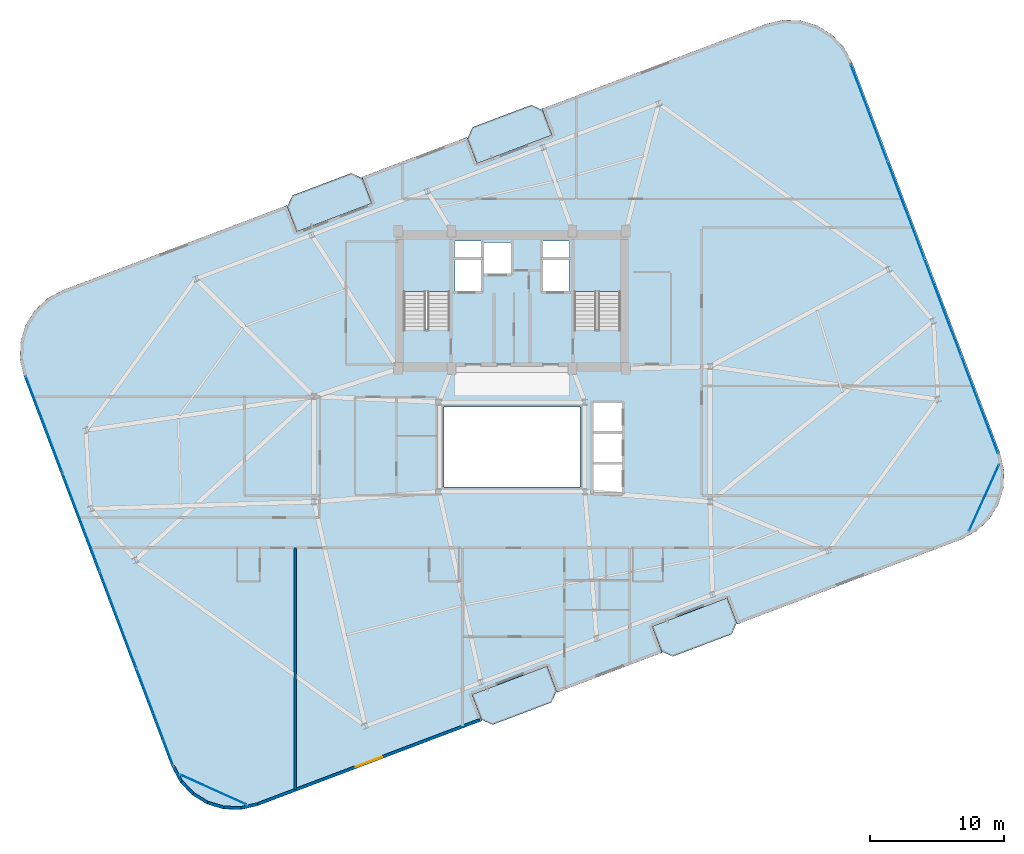
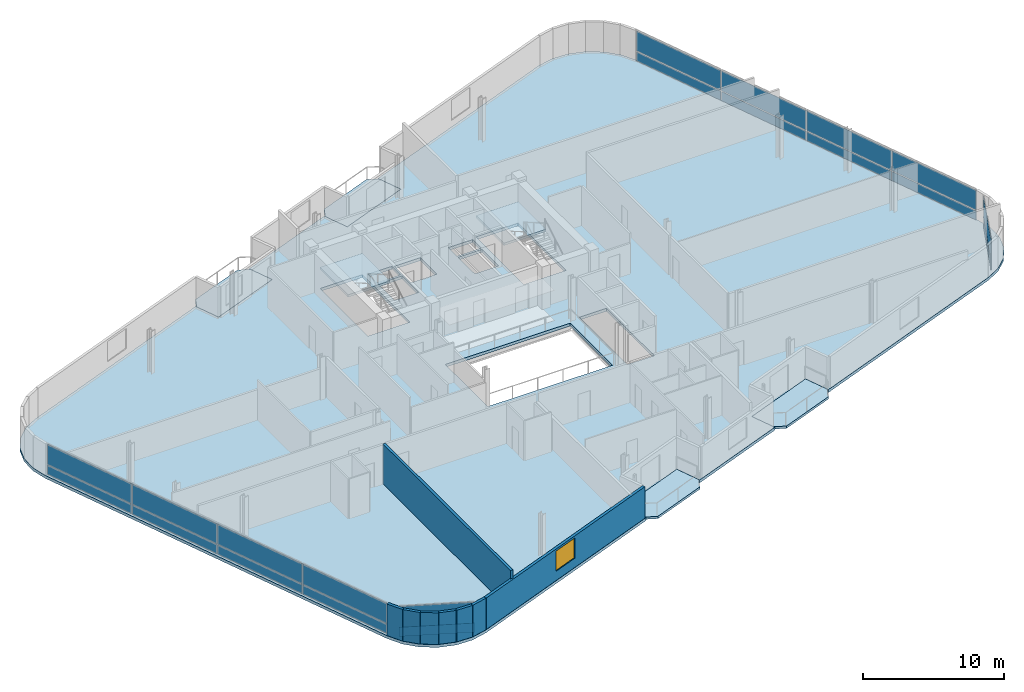
# One storey, part 17 of 23: 20 plates, 8 walls, 7 slabs, 1 window, 1 opening, 6 elements without a shape of their own.
"""IFC4 building model written with IfcOpenShell, lengths in metres."""

from ifc_helpers import new_model, si_unit, direction, frame, frame_2d, origin, origin_2d, place, context, subcontext, project, spatial, polyline, rectangle, outline, extrude, source, transform, mapped, material, layer, layer_set, type_object, element, fill, aggregate, save


model = new_model("IFC4")

# Units and contexts
model_context = context("Model", 3, precision=1e-05, world=origin(), true_north=direction((0.0, 1.0)))
body_context = subcontext(model_context, "Body", "Model", "MODEL_VIEW")
ifc_project = project(units=[si_unit("LENGTHUNIT", "METRE"), si_unit("AREAUNIT", "SQUARE_METRE"), si_unit("VOLUMEUNIT", "CUBIC_METRE"), si_unit("PLANEANGLEUNIT", "RADIAN"), si_unit("MASSUNIT", "GRAM", prefix="KILO")], contexts=[model_context])

# Site, building, storey
site_placement = place(None, origin())
site = spatial("IfcSite", under=ifc_project, at=site_placement, CompositionType="ELEMENT")
building_placement = place(site_placement, origin())
building = spatial("IfcBuilding", under=site, at=building_placement, Name="Varnelok Gate Tower", CompositionType="ELEMENT")
storey_placement = place(building_placement, frame((0.0, 0.0, 227.5)))
storey = spatial("IfcBuildingStorey", under=building, at=storey_placement, Name="L58", CompositionType="ELEMENT", Elevation=227.5)

# Slabs
ifc_material_1 = material(Name="Concrete C45/55", Category="concrete")
ifc_layer_1 = layer(ifc_material_1, 0.199951171875)
ifc_layer_set_1 = layer_set([ifc_layer_1], Name="Concrete C45/55")
slab_type_1 = type_object("IfcSlabType", Name="SLB-BALC-200", PredefinedType="FLOOR", material=ifc_layer_set_1)
slab_1_placement = place(storey_placement, frame((0.0, 0.0, -0.199951171875)))
element("IfcSlab", 1, at=slab_1_placement, inside=storey, type_object=slab_type_1, Name="L58 South Hollow Balcony 1", PredefinedType="FLOOR", context=body_context, shape_type="SweptSolid", body=[
    extrude(outline(polyline([(36.9189453125, 2.5166015625), (37.757080078125, 2.138916015625), (42.152587890625, 3.802978515625), (42.530517578125, 4.640869140625), (41.822265625, 6.51123046875), (36.2109375, 4.386962890625), (36.9189453125, 2.5166015625)])), origin(), (0.0, 0.0, 1.0), 0.199951171875),
])
slab_2_placement = place(storey_placement, frame((0.0, 0.0, -0.199951171875)))
element("IfcSlab", 2, at=slab_2_placement, inside=storey, type_object=slab_type_1, Name="L58 South Hollow Balcony 2", PredefinedType="FLOOR", context=body_context, shape_type="SweptSolid", body=[
    extrude(outline(polyline([(50.38623046875, 7.614990234375), (51.22412109375, 7.2373046875), (55.619873046875, 8.9013671875), (55.99755859375, 9.739501953125), (55.289306640625, 11.60986328125), (49.677978515625, 9.485595703125), (50.38623046875, 7.614990234375)])), origin(), (0.0, 0.0, 1.0), 0.199951171875),
])
slab_3_placement = place(storey_placement, frame((0.0, 0.0, -0.199951171875)))
element("IfcSlab", 3, at=slab_3_placement, inside=storey, type_object=slab_type_1, Name="L58 North Hollow Balcony 1", PredefinedType="FLOOR", context=body_context, shape_type="SweptSolid", body=[
    extrude(outline(polyline([(23.110595703125, 38.990234375), (28.721923828125, 41.114501953125), (28.013916015625, 42.985107421875), (27.17578125, 43.36279296875), (22.7802734375, 41.698486328125), (22.402587890625, 40.860595703125), (23.110595703125, 38.990234375)])), origin(), (0.0, 0.0, 1.0), 0.199951171875),
])
slab_4_placement = place(storey_placement, frame((0.0, 0.0, -0.199951171875)))
element("IfcSlab", 4, at=slab_4_placement, inside=storey, type_object=slab_type_1, Name="L58 North Hollow Balcony 2", PredefinedType="FLOOR", context=body_context, shape_type="SweptSolid", body=[
    extrude(outline(polyline([(36.577880859375, 44.088623046875), (42.189208984375, 46.212890625), (41.48095703125, 48.08349609375), (40.642822265625, 48.461181640625), (36.247314453125, 46.797119140625), (35.86962890625, 45.958984375), (36.577880859375, 44.088623046875)])), origin(), (0.0, 0.0, 1.0), 0.199951171875),
])

# Stair, slab
ifc_material_2 = material(Name="Concrete C50/60", Category="concrete")
stair_type = type_object("IfcStairType", Name="STR-CORE-1650", PredefinedType="HALF_TURN_STAIR", material=ifc_material_2)
stair_1_placement = place(storey_placement, origin())
stair_1 = element("IfcStair", 5, at=stair_1_placement, inside=storey, type_object=stair_type, Name="L58 Exit Stair ST-1", PredefinedType="HALF_TURN_STAIR")
ifc_layer_2 = layer(ifc_material_1, 0.199951171875)
ifc_layer_set_2 = layer_set([ifc_layer_2], Name="Concrete C45/55")
slab_type_2 = type_object("IfcSlabType", Name="SLB-LAND-200", PredefinedType="LANDING", material=ifc_layer_set_2)
slab_5_placement = place(storey_placement, frame((0.0, 0.0, 1.64990234375)))
slab_5 = element("IfcSlab", 6, at=slab_5_placement, type_object=slab_type_2, Name="ST-1 landing 1", PredefinedType="LANDING", context=body_context, shape_type="SweptSolid", body=[
    extrude(outline(polyline([(34.550048828125, 34.5), (34.550048828125, 38.449951171875), (31.10009765625, 38.449951171875), (31.10009765625, 34.5), (34.550048828125, 34.5)])), origin(), (0.0, 0.0, 1.0), 0.2001953125),
])
aggregate(stair_1, [slab_5])

stair_2_placement = place(storey_placement, origin())
stair_2 = element("IfcStair", 7, at=stair_2_placement, inside=storey, type_object=stair_type, Name="L58 Exit Stair ST-2", PredefinedType="HALF_TURN_STAIR")
slab_6_placement = place(storey_placement, frame((0.0, 0.0, 1.64990234375)))
slab_6 = element("IfcSlab", 8, at=slab_6_placement, type_object=slab_type_2, Name="ST-2 landing 1", PredefinedType="LANDING", context=body_context, shape_type="SweptSolid", body=[
    extrude(outline(polyline([(47.300048828125, 34.5), (47.300048828125, 38.449951171875), (43.85009765625, 38.449951171875), (43.85009765625, 34.5), (47.300048828125, 34.5)])), origin(), (0.0, 0.0, 1.0), 0.2001953125),
])
aggregate(stair_2, [slab_6])

# Slab
ifc_layer_3 = layer(ifc_material_2, 0.25)
ifc_layer_set_3 = layer_set([ifc_layer_3], Name="Concrete C50/60")
slab_type_3 = type_object("IfcSlabType", Name="SLB-TYP-250", PredefinedType="FLOOR", material=ifc_layer_set_3)
slab_7_placement = place(storey_placement, frame((0.0, 0.0, -0.25)))
element("IfcSlab", 9, at=slab_7_placement, inside=storey, type_object=slab_type_3, Name="L58 Structural Floor Slab", PredefinedType="FLOOR", context=body_context, shape_type="SweptSolid", body=[
    extrude(outline(polyline([(13.767578125, -1.0087890625), (14.385009765625, -2.158935546875), (15.279296875, -3.10986328125), (16.388916015625, -3.796875), (17.638671875, -4.17333984375), (18.943359375, -4.213623046875), (20.214111328125, -3.914794921875), (29.8779296875, -0.256103515625), (36.954345703125, 2.423095703125), (36.2109375, 4.386962890625), (41.822265625, 6.51123046875), (42.56591796875, 4.54736328125), (50.421630859375, 7.521484375), (49.677978515625, 9.485595703125), (55.289306640625, 11.60986328125), (56.032958984375, 9.64599609375), (63.109619140625, 12.324951171875), (72.7734375, 15.983642578125), (73.92333984375, 16.60107421875), (74.874267578125, 17.495361328125), (75.561279296875, 18.60498046875), (75.93798828125, 19.854736328125), (75.97802734375, 21.159423828125), (75.67919921875, 22.429931640625), (64.632568359375, 51.60888671875), (64.014892578125, 52.7587890625), (63.120849609375, 53.709716796875), (62.010986328125, 54.39697265625), (60.76123046875, 54.7734375), (59.45654296875, 54.813720703125), (58.18603515625, 54.5146484375), (48.522216796875, 50.856201171875), (41.445556640625, 48.177001953125), (42.189208984375, 46.212890625), (36.577880859375, 44.088623046875), (35.834228515625, 46.052490234375), (27.978515625, 43.07861328125), (28.721923828125, 41.114501953125), (23.110595703125, 38.990234375), (22.3671875, 40.9541015625), (15.29052734375, 38.275146484375), (5.626708984375, 34.616455078125), (4.4765625, 33.998779296875), (3.525634765625, 33.104736328125), (2.838623046875, 31.9951171875), (2.462158203125, 30.7451171875), (2.422119140625, 29.440673828125), (2.720703125, 28.169921875), (13.767578125, -1.0087890625)]), holes=[polyline([(34.550048828125, 31.679931640625), (34.550048828125, 38.449951171875), (31.10009765625, 38.449951171875), (31.10009765625, 31.679931640625), (34.550048828125, 31.679931640625)]), polyline([(47.300048828125, 31.679931640625), (47.300048828125, 38.449951171875), (43.85009765625, 38.449951171875), (43.85009765625, 31.679931640625), (47.300048828125, 31.679931640625)]), polyline([(34.949951171875, 34.550048828125), (36.89990234375, 34.550048828125), (36.89990234375, 36.89990234375), (34.949951171875, 36.89990234375), (34.949951171875, 34.550048828125)]), polyline([(41.5, 34.550048828125), (43.449951171875, 34.550048828125), (43.449951171875, 36.89990234375), (41.5, 36.89990234375), (41.5, 34.550048828125)]), polyline([(37.050048828125, 35.85009765625), (39.14990234375, 35.85009765625), (39.14990234375, 38.199951171875), (37.050048828125, 38.199951171875), (37.050048828125, 35.85009765625)]), polyline([(45.25, 19.449951171875), (47.449951171875, 19.449951171875), (47.449951171875, 26.199951171875), (45.25, 26.199951171875), (45.25, 19.449951171875)]), polyline([(34.919921875, 37.080078125), (36.89990234375, 37.080078125), (36.89990234375, 38.280029296875), (34.919921875, 38.280029296875), (34.919921875, 37.080078125)]), polyline([(41.5, 37.080078125), (43.47998046875, 37.080078125), (43.47998046875, 38.280029296875), (41.5, 38.280029296875), (41.5, 37.080078125)]), polyline([(34.10009765625, 19.89990234375), (44.300048828125, 19.89990234375), (44.300048828125, 25.89990234375), (34.10009765625, 25.89990234375), (34.10009765625, 19.89990234375)])]), origin(), (0.0, 0.0, 1.0), 0.25),
])

# Curtain wall, plates
ifc_material_3 = material(Name="Anodized Aluminum Alloy 6063-T6", Category="aluminium")
ifc_layer_4 = layer(ifc_material_3, 0.179931640625)
ifc_layer_set_4 = layer_set([ifc_layer_4], Name="Anodized Aluminum Alloy 6063-T6")
curtain_wall_type_1 = type_object("IfcCurtainWallType", Name="CW4-RESIDENCE-VISION", PredefinedType="USERDEFINED", material=ifc_layer_set_4)
curtain_wall_1_placement = place(storey_placement, origin())
curtain_wall_1 = element("IfcCurtainWall", 10, at=curtain_wall_1_placement, inside=storey, type_object=curtain_wall_type_1, Name="L58 West End Vision Curtain Wall", ObjectType="UNITISED CURTAIN WALL", PredefinedType="USERDEFINED")
ifc_material_4 = material(Name="Low-E Laminated Double Glazing IGU", Category="glass")
ifc_layer_5 = layer(ifc_material_4, 0.035888671875)
ifc_layer_set_5 = layer_set([ifc_layer_5], Name="Low-E Laminated Double Glazing IGU")
plate_type_1 = type_object("IfcPlateType", Name="CW-PNL-IGU36", PredefinedType="CURTAIN_PANEL", material=ifc_layer_set_5)
shared_shape_1 = source(origin(), body_context, "Body", "SweptSolid", [
    extrude(rectangle(XDim=7.6875, YDim=0.035888671875, at=origin_2d()), origin(), (0.0, 0.0, 1.0), 0.78759765625),
])
plate_1_placement = place(storey_placement, frame((12.510986328125, 2.70556640625, 0.074951171875), z_axis=(0.0, 0.0, 1.0), x_axis=(-0.354063042079, 0.935221557832, 0.0)))
plate_1 = element("IfcPlate", 11, at=plate_1_placement, type_object=plate_type_1, Name="CW4 panel 1.1", PredefinedType="CURTAIN_PANEL", context=body_context, shape_type="MappedRepresentation", body=[
    mapped(shared_shape_1, transform((0.0, 0.0, 0.0), scale=1.0)),
])
plate_2_placement = place(storey_placement, frame((4.2392578125, 24.5546875, 0.074951171875), z_axis=(0.0, 0.0, 1.0), x_axis=(-0.354063042079, 0.935221557832, 0.0)))
plate_2 = element("IfcPlate", 12, at=plate_2_placement, type_object=plate_type_1, Name="CW4 panel 4.1", PredefinedType="CURTAIN_PANEL", context=body_context, shape_type="MappedRepresentation", body=[
    mapped(shared_shape_1, transform((0.0, 0.0, 0.0), scale=1.0)),
])

curtain_wall_2_placement = place(storey_placement, origin())
curtain_wall_2 = element("IfcCurtainWall", 13, at=curtain_wall_2_placement, inside=storey, type_object=curtain_wall_type_1, Name="L58 East End Vision Curtain Wall", ObjectType="UNITISED CURTAIN WALL", PredefinedType="USERDEFINED")
plate_3_placement = place(storey_placement, frame((65.888916015625, 47.89453125, 0.074951171875), z_axis=(0.0, 0.0, 1.0), x_axis=(0.354063042079, -0.935221557832, 0.0)))
plate_3 = element("IfcPlate", 14, at=plate_3_placement, type_object=plate_type_1, Name="CW4 panel 1.1", PredefinedType="CURTAIN_PANEL", context=body_context, shape_type="MappedRepresentation", body=[
    mapped(shared_shape_1, transform((0.0, 0.0, 0.0), scale=1.0)),
])
plate_4_placement = place(storey_placement, frame((74.160888671875, 26.04541015625, 0.074951171875), z_axis=(0.0, 0.0, 1.0), x_axis=(0.354063042079, -0.935221557832, 0.0)))
plate_4 = element("IfcPlate", 15, at=plate_4_placement, type_object=plate_type_1, Name="CW4 panel 4.1", PredefinedType="CURTAIN_PANEL", context=body_context, shape_type="MappedRepresentation", body=[
    mapped(shared_shape_1, transform((0.0, 0.0, 0.0), scale=1.0)),
])

# Plate
shared_shape_2 = source(origin(), body_context, "Body", "SweptSolid", [
    extrude(rectangle(XDim=7.6875, YDim=0.035888671875, at=origin_2d()), origin(), (0.0, 0.0, 1.0), 1.717529296875),
])
plate_5_placement = place(storey_placement, frame((12.510986328125, 2.70556640625, 0.9375), z_axis=(0.0, 0.0, 1.0), x_axis=(-0.354063042079, 0.935221557832, 0.0)))
plate_5 = element("IfcPlate", 16, at=plate_5_placement, type_object=plate_type_1, Name="CW4 panel 1.2", PredefinedType="CURTAIN_PANEL", context=body_context, shape_type="MappedRepresentation", body=[
    mapped(shared_shape_2, transform((0.0, 0.0, 0.0), scale=1.0)),
])

plate_6_placement = place(storey_placement, frame((4.2392578125, 24.5546875, 0.9375), z_axis=(0.0, 0.0, 1.0), x_axis=(-0.354063042079, 0.935221557832, 0.0)))
plate_6 = element("IfcPlate", 17, at=plate_6_placement, type_object=plate_type_1, Name="CW4 panel 4.2", PredefinedType="CURTAIN_PANEL", context=body_context, shape_type="MappedRepresentation", body=[
    mapped(shared_shape_2, transform((0.0, 0.0, 0.0), scale=1.0)),
])

plate_7_placement = place(storey_placement, frame((65.888916015625, 47.89453125, 0.9375), z_axis=(0.0, 0.0, 1.0), x_axis=(0.354063042079, -0.935221557832, 0.0)))
plate_7 = element("IfcPlate", 18, at=plate_7_placement, type_object=plate_type_1, Name="CW4 panel 1.2", PredefinedType="CURTAIN_PANEL", context=body_context, shape_type="MappedRepresentation", body=[
    mapped(shared_shape_2, transform((0.0, 0.0, 0.0), scale=1.0)),
])

plate_8_placement = place(storey_placement, frame((74.160888671875, 26.04541015625, 0.9375), z_axis=(0.0, 0.0, 1.0), x_axis=(0.354063042079, -0.935221557832, 0.0)))
plate_8 = element("IfcPlate", 19, at=plate_8_placement, type_object=plate_type_1, Name="CW4 panel 4.2", PredefinedType="CURTAIN_PANEL", context=body_context, shape_type="MappedRepresentation", body=[
    mapped(shared_shape_2, transform((0.0, 0.0, 0.0), scale=1.0)),
])

shared_shape_3 = source(origin(), body_context, "Body", "SweptSolid", [
    extrude(rectangle(XDim=7.72509765625, YDim=0.035888671875, at=origin_2d()), origin(), (0.0, 0.0, 1.0), 0.78759765625),
])
plate_9_placement = place(storey_placement, frame((9.755859375, 9.982666015625, 0.074951171875), z_axis=(0.0, 0.0, 1.0), x_axis=(-0.354063042079, 0.935221557832, 0.0)))
plate_9 = element("IfcPlate", 20, at=plate_9_placement, type_object=plate_type_1, Name="CW4 panel 2.1", PredefinedType="CURTAIN_PANEL", context=body_context, shape_type="MappedRepresentation", body=[
    mapped(shared_shape_3, transform((0.0, 0.0, 0.0), scale=1.0)),
])

plate_10_placement = place(storey_placement, frame((6.994140625, 17.277587890625, 0.074951171875), z_axis=(0.0, 0.0, 1.0), x_axis=(-0.354063042079, 0.935221557832, 0.0)))
plate_10 = element("IfcPlate", 21, at=plate_10_placement, type_object=plate_type_1, Name="CW4 panel 3.1", PredefinedType="CURTAIN_PANEL", context=body_context, shape_type="MappedRepresentation", body=[
    mapped(shared_shape_3, transform((0.0, 0.0, 0.0), scale=1.0)),
])

plate_11_placement = place(storey_placement, frame((68.64404296875, 40.6171875, 0.074951171875), z_axis=(0.0, 0.0, 1.0), x_axis=(0.354063042079, -0.935221557832, 0.0)))
plate_11 = element("IfcPlate", 22, at=plate_11_placement, type_object=plate_type_1, Name="CW4 panel 2.1", PredefinedType="CURTAIN_PANEL", context=body_context, shape_type="MappedRepresentation", body=[
    mapped(shared_shape_3, transform((0.0, 0.0, 0.0), scale=1.0)),
])

plate_12_placement = place(storey_placement, frame((71.40576171875, 33.322509765625, 0.074951171875), z_axis=(0.0, 0.0, 1.0), x_axis=(0.354063042079, -0.935221557832, 0.0)))
plate_12 = element("IfcPlate", 23, at=plate_12_placement, type_object=plate_type_1, Name="CW4 panel 3.1", PredefinedType="CURTAIN_PANEL", context=body_context, shape_type="MappedRepresentation", body=[
    mapped(shared_shape_3, transform((0.0, 0.0, 0.0), scale=1.0)),
])

shared_shape_4 = source(origin(), body_context, "Body", "SweptSolid", [
    extrude(rectangle(XDim=7.72509765625, YDim=0.035888671875, at=origin_2d()), origin(), (0.0, 0.0, 1.0), 1.717529296875),
])
plate_13_placement = place(storey_placement, frame((9.755859375, 9.982666015625, 0.9375), z_axis=(0.0, 0.0, 1.0), x_axis=(-0.354063042079, 0.935221557832, 0.0)))
plate_13 = element("IfcPlate", 24, at=plate_13_placement, type_object=plate_type_1, Name="CW4 panel 2.2", PredefinedType="CURTAIN_PANEL", context=body_context, shape_type="MappedRepresentation", body=[
    mapped(shared_shape_4, transform((0.0, 0.0, 0.0), scale=1.0)),
])

plate_14_placement = place(storey_placement, frame((6.994140625, 17.277587890625, 0.9375), z_axis=(0.0, 0.0, 1.0), x_axis=(-0.354063042079, 0.935221557832, 0.0)))
plate_14 = element("IfcPlate", 25, at=plate_14_placement, type_object=plate_type_1, Name="CW4 panel 3.2", PredefinedType="CURTAIN_PANEL", context=body_context, shape_type="MappedRepresentation", body=[
    mapped(shared_shape_4, transform((0.0, 0.0, 0.0), scale=1.0)),
])

aggregate(curtain_wall_1, [plate_1, plate_5, plate_9, plate_13, plate_10, plate_14, plate_2, plate_6])

plate_15_placement = place(storey_placement, frame((68.64404296875, 40.6171875, 0.9375), z_axis=(0.0, 0.0, 1.0), x_axis=(0.354063042079, -0.935221557832, 0.0)))
plate_15 = element("IfcPlate", 26, at=plate_15_placement, type_object=plate_type_1, Name="CW4 panel 2.2", PredefinedType="CURTAIN_PANEL", context=body_context, shape_type="MappedRepresentation", body=[
    mapped(shared_shape_4, transform((0.0, 0.0, 0.0), scale=1.0)),
])

plate_16_placement = place(storey_placement, frame((71.40576171875, 33.322509765625, 0.9375), z_axis=(0.0, 0.0, 1.0), x_axis=(0.354063042079, -0.935221557832, 0.0)))
plate_16 = element("IfcPlate", 27, at=plate_16_placement, type_object=plate_type_1, Name="CW4 panel 3.2", PredefinedType="CURTAIN_PANEL", context=body_context, shape_type="MappedRepresentation", body=[
    mapped(shared_shape_4, transform((0.0, 0.0, 0.0), scale=1.0)),
])

aggregate(curtain_wall_2, [plate_3, plate_7, plate_11, plate_15, plate_12, plate_16, plate_4, plate_8])

# Curtain wall, plate
ifc_layer_6 = layer(ifc_material_3, 0.179931640625)
ifc_layer_set_6 = layer_set([ifc_layer_6], Name="Anodized Aluminum Alloy 6063-T6")
curtain_wall_type_2 = type_object("IfcCurtainWallType", Name="CW5-WINDCORNER-GLAZ", PredefinedType="USERDEFINED", material=ifc_layer_set_6)
curtain_wall_3_placement = place(storey_placement, origin())
curtain_wall_3 = element("IfcCurtainWall", 28, at=curtain_wall_3_placement, inside=storey, type_object=curtain_wall_type_2, Name="L58 Wind-Shaped Corner Curtain Wall SW", ObjectType="STRUCTURAL GLAZING", PredefinedType="USERDEFINED")
ifc_layer_7 = layer(ifc_material_4, 0.0419921875)
ifc_layer_set_7 = layer_set([ifc_layer_7], Name="Low-E Laminated Double Glazing IGU")
plate_type_2 = type_object("IfcPlateType", Name="CW-PNL-SPN42", PredefinedType="CURTAIN_PANEL", material=ifc_layer_set_7)
shared_shape_5 = source(origin(), body_context, "Body", "SweptSolid", [
    extrude(rectangle(XDim=5.385498046875, YDim=0.0419921875, at=origin_2d()), origin(), (0.0, 0.0, 1.0), 0.802490234375),
])
plate_17_placement = place(storey_placement, frame((16.87451171875, -2.7197265625, 0.06494140625), z_axis=(0.0, 0.0, 1.0), x_axis=(0.911662816164, -0.410939058285, 0.0)))
plate_17 = element("IfcPlate", 29, at=plate_17_placement, type_object=plate_type_2, Name="CW5 panel 1.1", PredefinedType="CURTAIN_PANEL", context=body_context, shape_type="MappedRepresentation", body=[
    mapped(shared_shape_5, transform((0.0, 0.0, 0.0), scale=1.0)),
])

curtain_wall_4_placement = place(storey_placement, origin())
curtain_wall_4 = element("IfcCurtainWall", 30, at=curtain_wall_4_placement, inside=storey, type_object=curtain_wall_type_2, Name="L58 Wind-Shaped Corner Curtain Wall SE", ObjectType="STRUCTURAL GLAZING", PredefinedType="USERDEFINED")
plate_18_placement = place(storey_placement, frame((74.484130859375, 19.090576171875, 0.06494140625), z_axis=(0.0, 0.0, 1.0), x_axis=(0.410939058285, 0.911662816164, 0.0)))
plate_18 = element("IfcPlate", 31, at=plate_18_placement, type_object=plate_type_2, Name="CW5 panel 1.1", PredefinedType="CURTAIN_PANEL", context=body_context, shape_type="MappedRepresentation", body=[
    mapped(shared_shape_5, transform((0.0, 0.0, 0.0), scale=1.0)),
])

# Plate
shared_shape_6 = source(origin(), body_context, "Body", "SweptSolid", [
    extrude(rectangle(XDim=5.385498046875, YDim=0.0419921875, at=origin_2d()), origin(), (0.0, 0.0, 1.0), 1.732421875),
])
plate_19_placement = place(storey_placement, frame((16.87451171875, -2.7197265625, 0.9326171875), z_axis=(0.0, 0.0, 1.0), x_axis=(0.911662816164, -0.410939058285, 0.0)))
plate_19 = element("IfcPlate", 32, at=plate_19_placement, type_object=plate_type_2, Name="CW5 panel 1.2", PredefinedType="CURTAIN_PANEL", context=body_context, shape_type="MappedRepresentation", body=[
    mapped(shared_shape_6, transform((0.0, 0.0, 0.0), scale=1.0)),
])

aggregate(curtain_wall_3, [plate_17, plate_19])

plate_20_placement = place(storey_placement, frame((74.484130859375, 19.090576171875, 0.9326171875), z_axis=(0.0, 0.0, 1.0), x_axis=(0.410939058285, 0.911662816164, 0.0)))
plate_20 = element("IfcPlate", 33, at=plate_20_placement, type_object=plate_type_2, Name="CW5 panel 1.2", PredefinedType="CURTAIN_PANEL", context=body_context, shape_type="MappedRepresentation", body=[
    mapped(shared_shape_6, transform((0.0, 0.0, 0.0), scale=1.0)),
])

aggregate(curtain_wall_4, [plate_18, plate_20])

# Walls
ifc_layer_8 = layer(ifc_material_1, 0.219970703125)
ifc_layer_set_8 = layer_set([ifc_layer_8], Name="Concrete C45/55")
wall_type_1 = type_object("IfcWallType", Name="EW-BALC-220", PredefinedType="SOLIDWALL", material=ifc_layer_set_8)
wall_1_placement = place(storey_placement, frame((13.880615234375, -0.966064453125, 0.0), z_axis=(0.0, 0.0, 1.0), x_axis=(0.473242342135, -0.88093228208, 0.0)))
element("IfcWall", 34, at=wall_1_placement, inside=storey, type_object=wall_type_1, Name="L58 Perimeter Facade Closure Wall 1", PredefinedType="SOLIDWALL", context=body_context, shape_type="SweptSolid", body=[
    extrude(rectangle(XDim=1.273681640625, YDim=0.219970703125, at=frame_2d((0.63671875, 0.0))), origin(), (0.0, 0.0, 1.0), 2.72998046875),
])
for number, where, z_axis, x_axis, name in (
    (35, (14.50048828125, -2.1064453125, 0.0), (0.0, 0.0, 1.0), (0.684968140504, -0.728573020702, 0.0), "L58 Perimeter Facade Closure Wall 2"),
    (36, (15.377197265625, -3.029296875, 0.0), (0.0, 0.0, 1.0), (0.850231806078, -0.526408468713, 0.0), "L58 Perimeter Facade Closure Wall 3"),
    (37, (16.462646484375, -3.69384765625, 0.0), (0.0, 0.0, 1.0), (0.957508189204, -0.288406081086, 0.0), "L58 Perimeter Facade Closure Wall 4"),
):
    element("IfcWall", number, at=place(storey_placement, frame(where, z_axis=z_axis, x_axis=x_axis)), inside=storey, type_object=wall_type_1, Name=name, PredefinedType="SOLIDWALL", context=body_context, shape_type="SweptSolid", body=[
        extrude(rectangle(XDim=1.24853515625, YDim=0.219970703125, at=frame_2d((0.624267578125, 0.0))), origin(), (0.0, 0.0, 1.0), 2.72998046875),
    ])
wall_2_placement = place(storey_placement, frame((17.68310546875, -4.0546875, 0.0), z_axis=(0.0, 0.0, 1.0), x_axis=(0.999522886512, -0.030886879732, 0.0)))
element("IfcWall", 38, at=wall_2_placement, inside=storey, type_object=wall_type_1, Name="L58 Perimeter Facade Closure Wall 5", PredefinedType="SOLIDWALL", context=body_context, shape_type="SweptSolid", body=[
    extrude(rectangle(XDim=1.248779296875, YDim=0.219970703125, at=frame_2d((0.62451171875, 0.0))), origin(), (0.0, 0.0, 1.0), 2.72998046875),
])
wall_3_placement = place(storey_placement, frame((18.95556640625, -4.08740234375, 0.0), z_axis=(0.0, 0.0, 1.0), x_axis=(0.973463008152, 0.228844426981, 0.0)))
element("IfcWall", 39, at=wall_3_placement, inside=storey, type_object=wall_type_1, Name="L58 Perimeter Facade Closure Wall 6", PredefinedType="SOLIDWALL", context=body_context, shape_type="SweptSolid", body=[
    extrude(rectangle(XDim=1.2568359375, YDim=0.219970703125, at=frame_2d((0.62841796875, 0.0))), origin(), (0.0, 0.0, 1.0), 2.72998046875),
])

# Wall, opening, window
wall_4_placement = place(storey_placement, frame((20.2021484375, -3.790771484375, 0.0), z_axis=(0.0, 0.0, 1.0), x_axis=(0.935225574232, 0.354052432984, 0.0)))
wall_4 = element("IfcWall", 40, at=wall_4_placement, inside=storey, type_object=wall_type_1, Name="L58 Perimeter Facade Closure Wall 7", PredefinedType="SOLIDWALL", context=body_context, shape_type="SweptSolid", body=[
    extrude(rectangle(XDim=17.747314453125, YDim=0.219970703125, at=frame_2d((8.87353515625, 0.0))), origin(), (0.0, 0.0, 1.0), 2.72998046875),
])
opening_placement = place(wall_4_placement, frame((7.823486328125, 0.0, 0.800048828125)))
opening = element("IfcOpeningElement", 41, at=opening_placement, cuts=wall_4, Name="Opening WN4", PredefinedType="OPENING", context=body_context, shape_type="SweptSolid", body=[
    extrude(rectangle(XDim=2.10009765625, YDim=1.75, at=frame_2d((1.050048828125, 0.875))), frame((0.0, 0.119873046875, 0.0), z_axis=(0.0, -1.0, 0.0), x_axis=(1.0, 0.0, 0.0)), (0.0, 0.0, 1.0), 0.239990234375),
])
window_type = type_object("IfcWindowType", Name="WN-SUI-2100", PartitioningType="SINGLE_PANEL", PredefinedType="WINDOW", material=ifc_material_4)
window_placement = place(opening_placement, origin())
window = element("IfcWindow", 42, at=window_placement, inside=storey, type_object=window_type, Name="L58 Perimeter Vision Window 7", OverallHeight=1.75, OverallWidth=2.10009765625, PartitioningType="SINGLE_PANEL", PredefinedType="WINDOW", context=body_context, shape_type="SweptSolid", body=[
    extrude(rectangle(XDim=2.10009765625, YDim=1.75, at=frame_2d((1.050048828125, 0.875))), frame((0.0, 0.030029296875, 0.0), z_axis=(0.0, -1.0, 0.0), x_axis=(1.0, 0.0, 0.0)), (0.0, 0.0, 1.0), 0.06005859375),
])
fill(opening, window)

# Wall
ifc_material_5 = material(Name="Gypsum Plasterboard Acoustic Partition", Category="gypsum")
ifc_layer_9 = layer(ifc_material_5, 0.205078125)
ifc_layer_set_9 = layer_set([ifc_layer_9], Name="Gypsum Plasterboard Acoustic Partition")
wall_type_2 = type_object("IfcWallType", Name="PW-PARTY-200", PredefinedType="PARTITIONING", material=ifc_layer_set_9)
wall_5_placement = place(storey_placement, frame((23.0, -2.710205078125, 0.0), z_axis=(0.0, 0.0, 1.0), x_axis=(0.0, 1.0, 0.0)))
element("IfcWall", 43, at=wall_5_placement, inside=storey, type_object=wall_type_2, Name="L58 South Party Wall 1", PredefinedType="PARTITIONING", context=body_context, shape_type="SweptSolid", body=[
    extrude(rectangle(XDim=18.060302734375, YDim=0.205078125, at=frame_2d((9.0302734375, 0.0))), origin(), (0.0, 0.0, 1.0), 3.449951171875),
])

save(model, "model.ifc")
